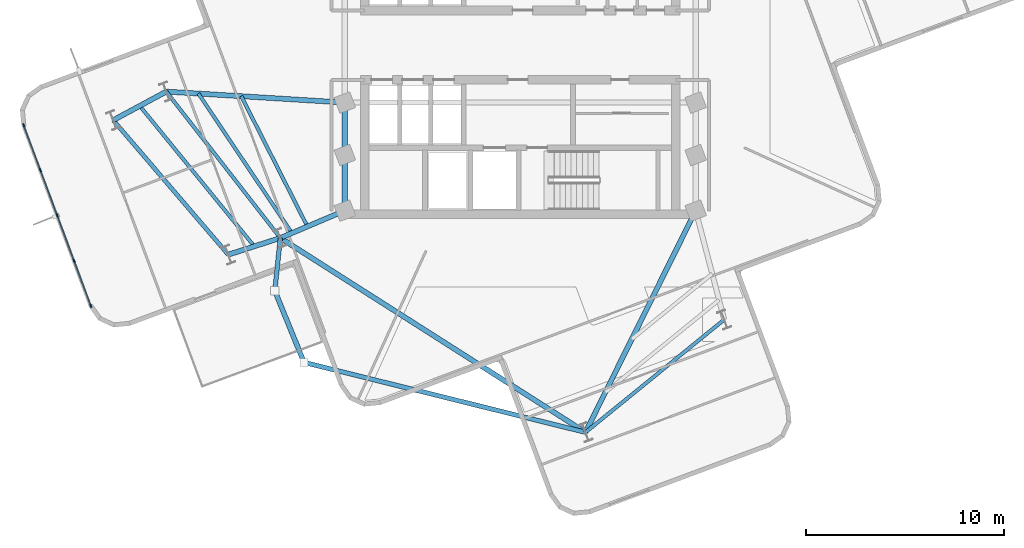
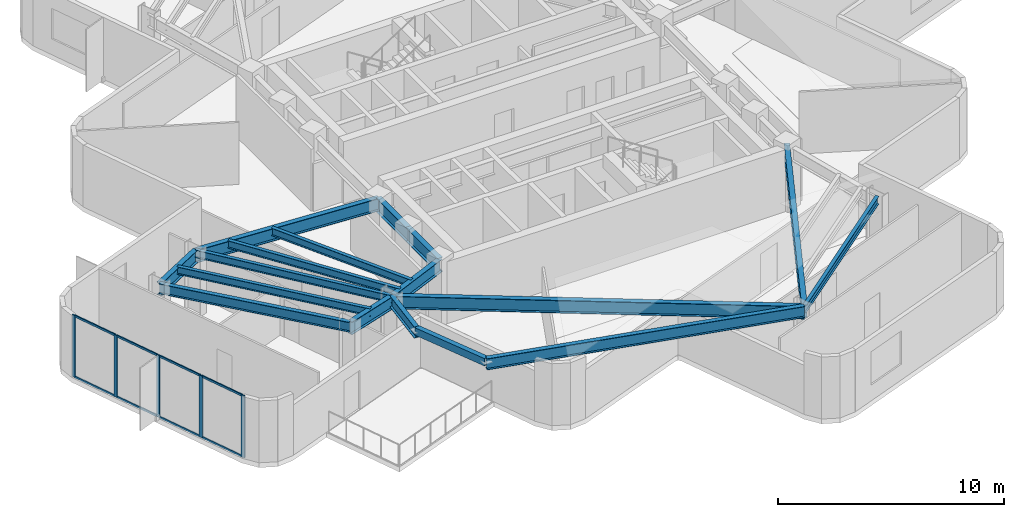
# One storey, part 2 of 11: 17 beams, 13 members, 1 element without a shape of its own.
"""IFC4 building model written with IfcOpenShell, lengths in metres."""

from ifc_helpers import new_model, si_unit, direction, frame, origin, origin_2d, place, context, subcontext, project, spatial, rectangle, hollow_rectangle, i_section, extrude, material, layer, layer_set, material_profile, profile_set, type_object, element, aggregate, save


model = new_model("IFC4")

# Units and contexts
model_context = context("Model", 3, precision=1e-05, world=origin(), true_north=direction((0.0, 1.0)))
body_context = subcontext(model_context, "Body", "Model", "MODEL_VIEW")
ifc_project = project(units=[si_unit("LENGTHUNIT", "METRE"), si_unit("AREAUNIT", "SQUARE_METRE"), si_unit("VOLUMEUNIT", "CUBIC_METRE"), si_unit("PLANEANGLEUNIT", "RADIAN"), si_unit("MASSUNIT", "GRAM", prefix="KILO")], contexts=[model_context])

# Site, building, storey
site_placement = place(None, origin())
site = spatial("IfcSite", under=ifc_project, at=site_placement, CompositionType="ELEMENT")
building_placement = place(site_placement, origin())
building = spatial("IfcBuilding", under=site, at=building_placement, Name="Solmarez Civic Tower", CompositionType="ELEMENT")
storey_placement = place(building_placement, frame((0.0, 0.0, 170.280029296875)))
storey = spatial("IfcBuildingStorey", under=building, at=storey_placement, Name="L45", CompositionType="ELEMENT", Elevation=170.280029296875)

# Beams
ifc_material_1 = material(Name="Steel S355", Category="steel")
ifc_material_profile_1 = material_profile(ifc_material_1, i_section(OverallWidth=0.178955078125, OverallDepth=0.409912109375, WebThickness=0.0087890625, FlangeThickness=0.014404296875, at=origin_2d()), Name="W16X45")
ifc_profile_set_1 = profile_set([ifc_material_profile_1], Name="Steel S355")
beam_type_1 = type_object("IfcBeamType", Name="BM-JS-W16X45", PredefinedType="JOIST", material=ifc_profile_set_1)
beam_1_placement = place(storey_placement, frame((-17.85791015625, -2.345947265625, 3.135009765625), z_axis=(0.614476744631, -0.788934934141, 0.0), x_axis=(0.788934934141, 0.614476744631, 0.0)))
element("IfcBeam", 1, at=beam_1_placement, inside=storey, type_object=beam_type_1, Name="L45 Secondary Floor Joist BM-L45-WA-T1", PredefinedType="JOIST", context=body_context, shape_type="SweptSolid", body=[
    extrude(i_section(OverallWidth=0.178955078125, OverallDepth=0.409912109375, WebThickness=0.0087890625, FlangeThickness=0.014404296875, at=origin_2d()), origin(), (0.0, 0.0, 1.0), 9.36083984375),
])
beam_2_placement = place(storey_placement, frame((-19.197021484375, -3.06689453125, 3.135009765625), z_axis=(0.632062174253, -0.77491767813, 0.0), x_axis=(0.77491767813, 0.632062174253, 0.0)))
element("IfcBeam", 2, at=beam_2_placement, inside=storey, type_object=beam_type_1, Name="L45 Secondary Floor Joist JS-L45-WA-M2", PredefinedType="JOIST", context=body_context, shape_type="SweptSolid", body=[
    extrude(i_section(OverallWidth=0.178955078125, OverallDepth=0.409912109375, WebThickness=0.0087890625, FlangeThickness=0.014404296875, at=origin_2d()), origin(), (0.0, 0.0, 1.0), 9.14306640625),
])
beam_3_placement = place(storey_placement, frame((-14.074951171875, -2.5791015625, 3.135009765625), z_axis=(0.452743410654, -0.891640849282, 0.0), x_axis=(0.891640849282, 0.452743410654, 0.0)))
element("IfcBeam", 3, at=beam_3_placement, inside=storey, type_object=beam_type_1, Name="L45 Secondary Floor Joist JS-L45-WA-M11", PredefinedType="JOIST", context=body_context, shape_type="SweptSolid", body=[
    extrude(i_section(OverallWidth=0.178955078125, OverallDepth=0.409912109375, WebThickness=0.0087890625, FlangeThickness=0.014404296875, at=origin_2d()), origin(), (0.0, 0.0, 1.0), 7.370361328125),
])
beam_4_placement = place(storey_placement, frame((-16.237060546875, -2.446044921875, 3.135009765625), z_axis=(0.556859935783, -0.830606412159, 0.0), x_axis=(0.830606412159, 0.556859935783, 0.0)))
element("IfcBeam", 4, at=beam_4_placement, inside=storey, type_object=beam_type_1, Name="L45 Secondary Floor Joist JS-L45-WA-M12", PredefinedType="JOIST", context=body_context, shape_type="SweptSolid", body=[
    extrude(i_section(OverallWidth=0.178955078125, OverallDepth=0.409912109375, WebThickness=0.0087890625, FlangeThickness=0.014404296875, at=origin_2d()), origin(), (0.0, 0.0, 1.0), 8.470703125),
])
beam_5_placement = place(storey_placement, frame((3.2900390625, -19.535888671875, 3.135009765625), z_axis=(0.776206737012, 0.630478470225, 0.0), x_axis=(-0.630478470225, 0.776206737012, 0.0)))
element("IfcBeam", 5, at=beam_5_placement, inside=storey, type_object=beam_type_1, Name="L45 Secondary Floor Joist BM-L45-SA-T1", PredefinedType="JOIST", context=body_context, shape_type="SweptSolid", body=[
    extrude(i_section(OverallWidth=0.178955078125, OverallDepth=0.409912109375, WebThickness=0.0087890625, FlangeThickness=0.014404296875, at=origin_2d()), origin(), (0.0, 0.0, 1.0), 9.018310546875),
])
ifc_material_profile_2 = material_profile(ifc_material_1, i_section(OverallWidth=0.25390625, OverallDepth=0.68798828125, WebThickness=0.01318359375, FlangeThickness=0.02099609375, at=origin_2d()), Name="W27X102")
ifc_profile_set_2 = profile_set([ifc_material_profile_2], Name="Steel S355")
beam_type_2 = type_object("IfcBeamType", Name="BM-PR-W27X102", PredefinedType="BEAM", material=ifc_profile_set_2)
beam_6_placement = place(storey_placement, frame((-8.85009765625, -2.89990234375, 2.995849609375), z_axis=(-0.998114395047, 0.061381221877, 0.0), x_axis=(-0.061381221877, -0.998114395047, 0.0)))
element("IfcBeam", 6, at=beam_6_placement, inside=storey, type_object=beam_type_2, Name="L45 Primary Floor Beam BM-L45-WA-R1A", PredefinedType="BEAM", context=body_context, shape_type="SweptSolid", body=[
    extrude(i_section(OverallWidth=0.25390625, OverallDepth=0.68798828125, WebThickness=0.01318359375, FlangeThickness=0.02099609375, at=origin_2d()), origin(), (0.0, 0.0, 1.0), 9.02490234375),
])
beam_7_placement = place(storey_placement, frame((-8.85009765625, -8.35009765625, 2.995849609375), z_axis=(-0.920623894701, -0.390450566019, 0.0), x_axis=(0.390450566019, -0.920623894701, 0.0)))
element("IfcBeam", 7, at=beam_7_placement, inside=storey, type_object=beam_type_2, Name="L45 Primary Floor Beam BM-L45-WA-R1B", PredefinedType="BEAM", context=body_context, shape_type="SweptSolid", body=[
    extrude(i_section(OverallWidth=0.25390625, OverallDepth=0.68798828125, WebThickness=0.01318359375, FlangeThickness=0.02099609375, at=origin_2d()), origin(), (0.0, 0.0, 1.0), 3.53662109375),
])
beam_8_placement = place(storey_placement, frame((-17.85791015625, -2.345947265625, 2.995849609375), z_axis=(-0.880378270924, -0.474272179329, 0.0), x_axis=(0.474272179329, -0.880378270924, 0.0)))
element("IfcBeam", 8, at=beam_8_placement, inside=storey, type_object=beam_type_2, Name="L45 Primary Floor Beam BM-L45-WA-R2A", PredefinedType="BEAM", context=body_context, shape_type="SweptSolid", body=[
    extrude(i_section(OverallWidth=0.25390625, OverallDepth=0.68798828125, WebThickness=0.01318359375, FlangeThickness=0.02099609375, at=origin_2d()), origin(), (0.0, 0.0, 1.0), 3.040771484375),
])
beam_9_placement = place(storey_placement, frame((-12.10595703125, -9.73095703125, 2.995849609375), z_axis=(-0.952208998703, -0.305447250421, 0.0), x_axis=(0.305447250421, -0.952208998703, 0.0)))
element("IfcBeam", 9, at=beam_9_placement, inside=storey, type_object=beam_type_2, Name="L45 Primary Floor Beam BM-L45-WA-R2B", PredefinedType="BEAM", context=body_context, shape_type="SweptSolid", body=[
    extrude(i_section(OverallWidth=0.25390625, OverallDepth=0.68798828125, WebThickness=0.01318359375, FlangeThickness=0.02099609375, at=origin_2d()), origin(), (0.0, 0.0, 1.0), 2.7568359375),
])
beam_10_placement = place(storey_placement, frame((8.85009765625, -8.35009765625, 2.995849609375), z_axis=(-0.44510935737, -0.895476219663, 0.0), x_axis=(0.895476219663, -0.44510935737, 0.0)))
element("IfcBeam", 10, at=beam_10_placement, inside=storey, type_object=beam_type_2, Name="L45 Primary Floor Beam BM-L45-SA-R1A", PredefinedType="BEAM", context=body_context, shape_type="SweptSolid", body=[
    extrude(i_section(OverallWidth=0.25390625, OverallDepth=0.68798828125, WebThickness=0.01318359375, FlangeThickness=0.02099609375, at=origin_2d()), origin(), (0.0, 0.0, 1.0), 12.491455078125),
])
beam_11_placement = place(storey_placement, frame((-12.10595703125, -9.73095703125, 2.995849609375), z_axis=(0.843475834773, -0.537167121251, 0.0), x_axis=(0.537167121251, 0.843475834773, 0.0)))
element("IfcBeam", 11, at=beam_11_placement, inside=storey, type_object=beam_type_2, Name="L45 Primary Floor Beam BM-L45-BALC-SWC", PredefinedType="BEAM", context=body_context, shape_type="SweptSolid", body=[
    extrude(i_section(OverallWidth=0.25390625, OverallDepth=0.68798828125, WebThickness=0.01318359375, FlangeThickness=0.02099609375, at=origin_2d()), origin(), (0.0, 0.0, 1.0), 18.2529296875),
])
ifc_material_profile_3 = material_profile(ifc_material_1, i_section(OverallWidth=0.26708984375, OverallDepth=0.761962890625, WebThickness=0.014404296875, FlangeThickness=0.021484375, at=origin_2d()), Name="W30X116")
ifc_profile_set_3 = profile_set([ifc_material_profile_3], Name="Steel S355")
beam_type_3 = type_object("IfcBeamType", Name="BM-PR-W30X116", PredefinedType="BEAM", material=ifc_profile_set_3)
beam_12_placement = place(storey_placement, frame((-8.85009765625, -8.35009765625, 2.958984375), z_axis=(0.0, 1.0, 0.0), x_axis=(-1.0, 0.0, 0.0)))
element("IfcBeam", 12, at=beam_12_placement, inside=storey, type_object=beam_type_3, Name="L45 Primary Floor Beam BM-L45-HC12-HC1", PredefinedType="BEAM", context=body_context, shape_type="SweptSolid", body=[
    extrude(i_section(OverallWidth=0.26708984375, OverallDepth=0.761962890625, WebThickness=0.014404296875, FlangeThickness=0.021484375, at=origin_2d()), origin(), (0.0, 0.0, 1.0), 2.800048828125),
])
beam_13_placement = place(storey_placement, frame((-8.85009765625, -5.550048828125, 2.958984375), z_axis=(0.0, 1.0, 0.0), x_axis=(-1.0, 0.0, 0.0)))
element("IfcBeam", 13, at=beam_13_placement, inside=storey, type_object=beam_type_3, Name="L45 Primary Floor Beam BM-L45-HC1-HC2", PredefinedType="BEAM", context=body_context, shape_type="SweptSolid", body=[
    extrude(i_section(OverallWidth=0.26708984375, OverallDepth=0.761962890625, WebThickness=0.014404296875, FlangeThickness=0.021484375, at=origin_2d()), origin(), (0.0, 0.0, 1.0), 2.650146484375),
])
ifc_material_profile_4 = material_profile(ifc_material_1, hollow_rectangle(XDim=0.25, YDim=0.39990234375, WallThickness=0.01611328125, at=origin_2d()), Name="HSS400X250X16")
ifc_profile_set_4 = profile_set([ifc_material_profile_4], Name="Steel S355")
beam_type_4 = type_object("IfcBeamType", Name="BM-SP-HSS400X250", PredefinedType="SPANDREL", material=ifc_profile_set_4)
beam_14_placement = place(storey_placement, frame((-12.383056640625, -12.39794921875, 3.139892578125), z_axis=(0.377728344413, -0.925916463741, 0.0), x_axis=(0.925916463741, 0.377728344413, 0.0)))
element("IfcBeam", 14, at=beam_14_placement, inside=storey, type_object=beam_type_4, Name="L45 Perimeter Spandrel Beam BM-L45-BALC-SWE", PredefinedType="SPANDREL", context=body_context, shape_type="SweptSolid", body=[
    extrude(hollow_rectangle(XDim=0.25, YDim=0.39990234375, WallThickness=0.01611328125, at=origin_2d()), origin(), (0.0, 0.0, 1.0), 3.89990234375),
])
ifc_material_profile_5 = material_profile(ifc_material_1, i_section(OverallWidth=0.2109375, OverallDepth=0.5390625, WebThickness=0.01171875, FlangeThickness=0.018798828125, at=origin_2d()), Name="W21X73")
ifc_profile_set_5 = profile_set([ifc_material_profile_5], Name="Steel S355")
beam_type_5 = type_object("IfcBeamType", Name="BM-SP-W21X73", PredefinedType="SPANDREL", material=ifc_profile_set_5)
beam_15_placement = place(storey_placement, frame((-20.534912109375, -3.7880859375, 3.071044921875), z_axis=(0.650036693718, -0.759902820642, 0.0), x_axis=(0.759902820642, 0.650036693718, 0.0)))
element("IfcBeam", 15, at=beam_15_placement, inside=storey, type_object=beam_type_5, Name="L45 Perimeter Spandrel Beam BM-L45-WA-T2", PredefinedType="SPANDREL", context=body_context, shape_type="SweptSolid", body=[
    extrude(i_section(OverallWidth=0.2109375, OverallDepth=0.5390625, WebThickness=0.01171875, FlangeThickness=0.018798828125, at=origin_2d()), origin(), (0.0, 0.0, 1.0), 8.9287109375),
])
ifc_material_profile_6 = material_profile(ifc_material_1, i_section(OverallWidth=0.22900390625, OverallDepth=0.612060546875, WebThickness=0.011962890625, FlangeThickness=0.01953125, at=origin_2d()), Name="W24X84")
ifc_profile_set_6 = profile_set([ifc_material_profile_6], Name="Steel S355")
beam_type_6 = type_object("IfcBeamType", Name="BM-SP-W24X84", PredefinedType="SPANDREL", material=ifc_profile_set_6)
beam_16_placement = place(storey_placement, frame((-12.10595703125, -9.73095703125, 3.033935546875), z_axis=(-0.103343364647, -0.994645740444, 0.0), x_axis=(0.994645740444, -0.103343364647, 0.0)))
element("IfcBeam", 16, at=beam_16_placement, inside=storey, type_object=beam_type_6, Name="L45 Perimeter Spandrel Beam BM-L45-BALC-SW1", PredefinedType="SPANDREL", context=body_context, shape_type="SweptSolid", body=[
    extrude(i_section(OverallWidth=0.22900390625, OverallDepth=0.612060546875, WebThickness=0.011962890625, FlangeThickness=0.01953125, at=origin_2d()), origin(), (0.0, 0.0, 1.0), 2.681396484375),
])
beam_17_placement = place(storey_placement, frame((3.2900390625, -19.535888671875, 3.033935546875), z_axis=(-0.970513360762, 0.241047332661, 0.0), x_axis=(-0.241047332661, -0.970513360762, 0.0)))
element("IfcBeam", 17, at=beam_17_placement, inside=storey, type_object=beam_type_6, Name="L45 Perimeter Spandrel Beam BM-L45-BALC-SW2", PredefinedType="SPANDREL", context=body_context, shape_type="SweptSolid", body=[
    extrude(i_section(OverallWidth=0.22900390625, OverallDepth=0.612060546875, WebThickness=0.011962890625, FlangeThickness=0.01953125, at=origin_2d()), origin(), (0.0, 0.0, 1.0), 14.63134765625),
])

# Curtain wall, members
ifc_material_2 = material(Name="Bronze Anodised Aluminium EN AW-6063 T6", Category="aluminium")
ifc_layer = layer(ifc_material_2, 0.155029296875)
ifc_layer_set = layer_set([ifc_layer], Name="Bronze Anodised Aluminium EN AW-6063 T6")
curtain_wall_type = type_object("IfcCurtainWallType", Name="CW-SYS-6", PredefinedType="NOTDEFINED", material=ifc_layer_set)
curtain_wall_placement = place(storey_placement, origin())
curtain_wall = element("IfcCurtainWall", 18, at=curtain_wall_placement, inside=storey, type_object=curtain_wall_type, Name="L45 Stick-Built Curtain Wall 1", PredefinedType="NOTDEFINED")
ifc_material_profile_7 = material_profile(ifc_material_2, rectangle(XDim=0.070068359375, YDim=0.179931640625, at=origin_2d()), Name="CWM-70X180")
ifc_profile_set_7 = profile_set([ifc_material_profile_7], Name="Bronze Anodised Aluminium EN AW-6063 T6")
member_type_1 = type_object("IfcMemberType", Name="CWM-TYPE-2", PredefinedType="MULLION", material=ifc_profile_set_7)
member_1_placement = place(storey_placement, frame((-21.664306640625, -13.151123046875, 0.0), z_axis=(0.0, 0.0, 1.0), x_axis=(-0.93724205701, -0.348679403709, 0.0)))
member_1 = element("IfcMember", 19, at=member_1_placement, type_object=member_type_1, Name="CWS6 mullion 1", PredefinedType="MULLION", context=body_context, shape_type="SweptSolid", body=[
    extrude(rectangle(XDim=0.070068359375, YDim=0.179931640625, at=origin_2d()), origin(), (0.0, 0.0, 1.0), 3.340087890625),
])
member_2_placement = place(storey_placement, frame((-22.50439453125, -10.892578125, 0.0), z_axis=(0.0, 0.0, 1.0), x_axis=(-0.93724205701, -0.348679403709, 0.0)))
member_2 = element("IfcMember", 20, at=member_2_placement, type_object=member_type_1, Name="CWS6 mullion 2", PredefinedType="MULLION", context=body_context, shape_type="SweptSolid", body=[
    extrude(rectangle(XDim=0.070068359375, YDim=0.179931640625, at=origin_2d()), origin(), (0.0, 0.0, 1.0), 3.340087890625),
])
member_3_placement = place(storey_placement, frame((-23.35693359375, -8.60107421875, 0.0), z_axis=(0.0, 0.0, 1.0), x_axis=(-0.93724205701, -0.348679403709, 0.0)))
member_3 = element("IfcMember", 21, at=member_3_placement, type_object=member_type_1, Name="CWS6 mullion 3", PredefinedType="MULLION", context=body_context, shape_type="SweptSolid", body=[
    extrude(rectangle(XDim=0.070068359375, YDim=0.179931640625, at=origin_2d()), origin(), (0.0, 0.0, 1.0), 3.340087890625),
])
member_4_placement = place(storey_placement, frame((-24.20947265625, -6.3095703125, 0.0), z_axis=(0.0, 0.0, 1.0), x_axis=(-0.93724205701, -0.348679403709, 0.0)))
member_4 = element("IfcMember", 22, at=member_4_placement, type_object=member_type_1, Name="CWS6 mullion 4", PredefinedType="MULLION", context=body_context, shape_type="SweptSolid", body=[
    extrude(rectangle(XDim=0.070068359375, YDim=0.179931640625, at=origin_2d()), origin(), (0.0, 0.0, 1.0), 3.340087890625),
])
member_5_placement = place(storey_placement, frame((-25.0498046875, -4.05078125, 0.0), z_axis=(0.0, 0.0, 1.0), x_axis=(-0.93724205701, -0.348679403709, 0.0)))
member_5 = element("IfcMember", 23, at=member_5_placement, type_object=member_type_1, Name="CWS6 mullion 5", PredefinedType="MULLION", context=body_context, shape_type="SweptSolid", body=[
    extrude(rectangle(XDim=0.070068359375, YDim=0.179931640625, at=origin_2d()), origin(), (0.0, 0.0, 1.0), 3.340087890625),
])
ifc_material_profile_8 = material_profile(ifc_material_2, rectangle(XDim=0.06005859375, YDim=0.110107421875, at=origin_2d()), Name="CWT-60X110")
ifc_profile_set_8 = profile_set([ifc_material_profile_8], Name="Bronze Anodised Aluminium EN AW-6063 T6")
member_type_2 = type_object("IfcMemberType", Name="CWT-TYPE-3", PredefinedType="USERDEFINED", material=ifc_profile_set_8)
member_6_placement = place(storey_placement, frame((-21.676513671875, -13.118408203125, 0.030029296875), z_axis=(-0.348595168398, 0.937273390516, 0.0), x_axis=(-0.937273390516, -0.348595168398, 0.0)))
member_6 = element("IfcMember", 24, at=member_6_placement, type_object=member_type_2, Name="CWS6 transom 1.1", ObjectType="TRANSOM", PredefinedType="USERDEFINED", context=body_context, shape_type="SweptSolid", body=[
    extrude(rectangle(XDim=0.06005859375, YDim=0.110107421875, at=origin_2d()), origin(), (0.0, 0.0, 1.0), 2.33984375),
])
member_7_placement = place(storey_placement, frame((-21.676513671875, -13.118408203125, 3.31005859375), z_axis=(-0.348595168398, 0.937273390516, 0.0), x_axis=(-0.937273390516, -0.348595168398, 0.0)))
member_7 = element("IfcMember", 25, at=member_7_placement, type_object=member_type_2, Name="CWS6 transom 1.2", ObjectType="TRANSOM", PredefinedType="USERDEFINED", context=body_context, shape_type="SweptSolid", body=[
    extrude(rectangle(XDim=0.06005859375, YDim=0.110107421875, at=origin_2d()), origin(), (0.0, 0.0, 1.0), 2.33984375),
])
member_8_placement = place(storey_placement, frame((-22.5166015625, -10.859619140625, 0.030029296875), z_axis=(-0.348700112315, 0.937234352588, 0.0), x_axis=(-0.937234352588, -0.348700112315, 0.0)))
member_8 = element("IfcMember", 26, at=member_8_placement, type_object=member_type_2, Name="CWS6 transom 2.1", ObjectType="TRANSOM", PredefinedType="USERDEFINED", context=body_context, shape_type="SweptSolid", body=[
    extrude(rectangle(XDim=0.06005859375, YDim=0.110107421875, at=origin_2d()), origin(), (0.0, 0.0, 1.0), 2.375),
])
member_9_placement = place(storey_placement, frame((-22.5166015625, -10.859619140625, 3.31005859375), z_axis=(-0.348700112315, 0.937234352588, 0.0), x_axis=(-0.937234352588, -0.348700112315, 0.0)))
member_9 = element("IfcMember", 27, at=member_9_placement, type_object=member_type_2, Name="CWS6 transom 2.2", ObjectType="TRANSOM", PredefinedType="USERDEFINED", context=body_context, shape_type="SweptSolid", body=[
    extrude(rectangle(XDim=0.06005859375, YDim=0.110107421875, at=origin_2d()), origin(), (0.0, 0.0, 1.0), 2.375),
])
member_10_placement = place(storey_placement, frame((-23.369140625, -8.568115234375, 0.030029296875), z_axis=(-0.348700112315, 0.937234352588, 0.0), x_axis=(-0.937234352588, -0.348700112315, 0.0)))
member_10 = element("IfcMember", 28, at=member_10_placement, type_object=member_type_2, Name="CWS6 transom 3.1", ObjectType="TRANSOM", PredefinedType="USERDEFINED", context=body_context, shape_type="SweptSolid", body=[
    extrude(rectangle(XDim=0.06005859375, YDim=0.110107421875, at=origin_2d()), origin(), (0.0, 0.0, 1.0), 2.375),
])
member_11_placement = place(storey_placement, frame((-23.369140625, -8.568115234375, 3.31005859375), z_axis=(-0.348700112315, 0.937234352588, 0.0), x_axis=(-0.937234352588, -0.348700112315, 0.0)))
member_11 = element("IfcMember", 29, at=member_11_placement, type_object=member_type_2, Name="CWS6 transom 3.2", ObjectType="TRANSOM", PredefinedType="USERDEFINED", context=body_context, shape_type="SweptSolid", body=[
    extrude(rectangle(XDim=0.06005859375, YDim=0.110107421875, at=origin_2d()), origin(), (0.0, 0.0, 1.0), 2.375),
])
member_12_placement = place(storey_placement, frame((-24.2216796875, -6.276611328125, 0.030029296875), z_axis=(-0.348686822892, 0.93723929684, 0.0), x_axis=(-0.93723929684, -0.348686822892, 0.0)))
member_12 = element("IfcMember", 30, at=member_12_placement, type_object=member_type_2, Name="CWS6 transom 4.1", ObjectType="TRANSOM", PredefinedType="USERDEFINED", context=body_context, shape_type="SweptSolid", body=[
    extrude(rectangle(XDim=0.06005859375, YDim=0.110107421875, at=origin_2d()), origin(), (0.0, 0.0, 1.0), 2.340087890625),
])
member_13_placement = place(storey_placement, frame((-24.2216796875, -6.276611328125, 3.31005859375), z_axis=(-0.348686822892, 0.93723929684, 0.0), x_axis=(-0.93723929684, -0.348686822892, 0.0)))
member_13 = element("IfcMember", 31, at=member_13_placement, type_object=member_type_2, Name="CWS6 transom 4.2", ObjectType="TRANSOM", PredefinedType="USERDEFINED", context=body_context, shape_type="SweptSolid", body=[
    extrude(rectangle(XDim=0.06005859375, YDim=0.110107421875, at=origin_2d()), origin(), (0.0, 0.0, 1.0), 2.340087890625),
])
aggregate(curtain_wall, [member_1, member_2, member_3, member_4, member_5, member_6, member_7, member_8, member_9, member_10, member_11, member_12, member_13])

save(model, "model.ifc")
